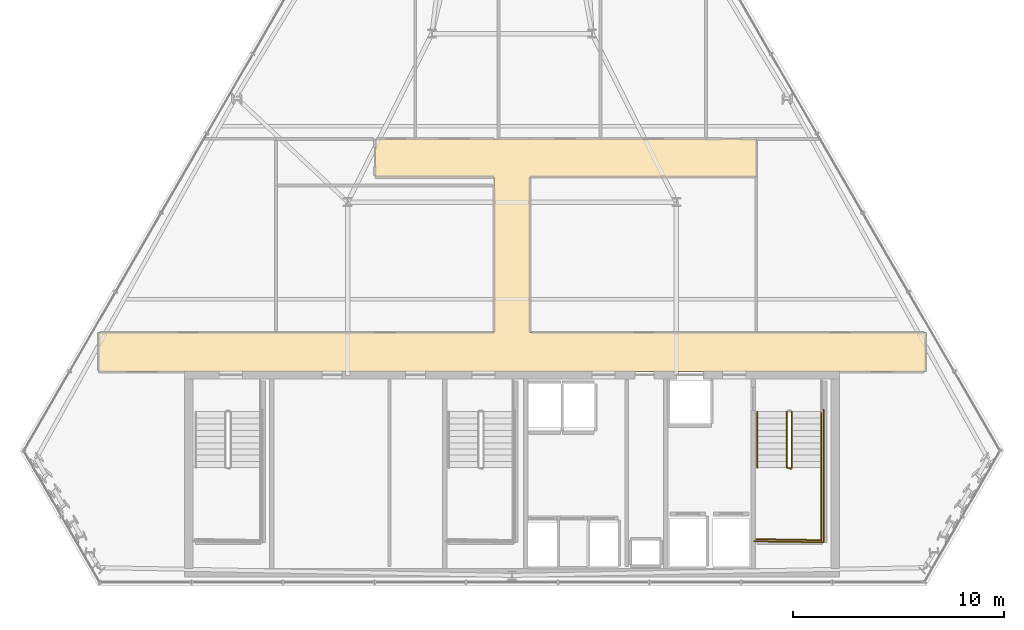
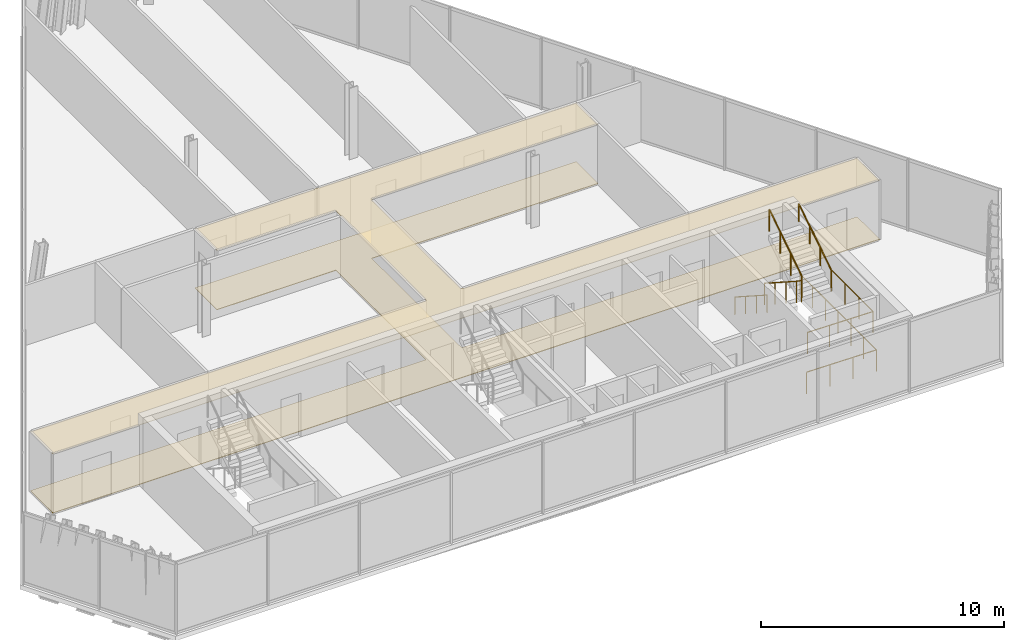
# One storey, part 28 of 29: 6 railings, 2 coverings.
"""IFC4 building model written with IfcOpenShell, lengths in metres."""

from ifc_helpers import new_model, si_unit, direction, frame, origin, origin_2d, place, context, subcontext, project, spatial, polyline, circle, outline, extrude, material, layer, layer_set, type_object, element, save


model = new_model("IFC4")

# Units and contexts
model_context = context("Model", 3, precision=1e-05, world=origin(), true_north=direction((0.0, 1.0)))
body_context = subcontext(model_context, "Body", "Model", "MODEL_VIEW")
ifc_project = project(units=[si_unit("LENGTHUNIT", "METRE"), si_unit("AREAUNIT", "SQUARE_METRE"), si_unit("VOLUMEUNIT", "CUBIC_METRE"), si_unit("PLANEANGLEUNIT", "RADIAN"), si_unit("MASSUNIT", "GRAM", prefix="KILO")], contexts=[model_context])

# Site, building, storey
site_placement = place(None, origin())
site = spatial("IfcSite", under=ifc_project, at=site_placement, CompositionType="ELEMENT")
building_placement = place(site_placement, origin())
building = spatial("IfcBuilding", under=site, at=building_placement, Name="Ndaravel Arena Tower", CompositionType="ELEMENT")
storey_placement = place(building_placement, frame((0.0, 0.0, 237.0)))
storey = spatial("IfcBuildingStorey", under=building, at=storey_placement, Name="L57", CompositionType="ELEMENT", Elevation=237.0)

# Coverings
ifc_material_1 = material(Name="Acoustic Ceiling Tile", Category="finish")
ifc_layer_1 = layer(ifc_material_1, 0.02490234375)
ifc_layer_set_1 = layer_set([ifc_layer_1], Name="Acoustic Ceiling Tile")
covering_type_1 = type_object("IfcCoveringType", Name="COV-CEIL-AC600", PredefinedType="CEILING", material=ifc_layer_set_1)
covering_1_placement = place(storey_placement, frame((0.0, 0.0, 2.98046875)))
element("IfcCovering", 1, at=covering_1_placement, inside=storey, type_object=covering_type_1, Name="L57 Corridor Acoustic Ceiling", PredefinedType="CEILING", context=body_context, shape_type="SweptSolid", body=[
    extrude(outline(polyline([(61.6220703125, 17.0), (42.85009765625, 17.0), (42.85009765625, 24.39990234375), (53.60009765625, 24.39990234375), (53.60009765625, 26.199951171875), (42.85009765625, 26.199951171875), (41.14990234375, 26.199951171875), (35.5, 26.199951171875), (35.5, 24.39990234375), (41.14990234375, 24.39990234375), (41.14990234375, 17.0), (22.3779296875, 17.0), (22.3779296875, 15.14990234375), (61.6220703125, 15.14990234375), (61.6220703125, 17.0)])), origin(), (0.0, 0.0, 1.0), 0.025146484375),
])
ifc_material_2 = material(Name="Terrazzo", Category="stone")
ifc_layer_2 = layer(ifc_material_2, 0.030029296875)
ifc_layer_set_2 = layer_set([ifc_layer_2], Name="Terrazzo")
covering_type_2 = type_object("IfcCoveringType", Name="COV-FLOOR-TERRAZZO", PredefinedType="FLOORING", material=ifc_layer_set_2)
covering_2_placement = place(storey_placement, origin())
element("IfcCovering", 2, at=covering_2_placement, inside=storey, type_object=covering_type_2, Name="L57 Corridor Terrazzo Flooring", PredefinedType="FLOORING", context=body_context, shape_type="SweptSolid", body=[
    extrude(outline(polyline([(61.6220703125, 17.0), (42.85009765625, 17.0), (42.85009765625, 24.39990234375), (53.60009765625, 24.39990234375), (53.60009765625, 26.199951171875), (42.85009765625, 26.199951171875), (41.14990234375, 26.199951171875), (35.5, 26.199951171875), (35.5, 24.39990234375), (41.14990234375, 24.39990234375), (41.14990234375, 17.0), (22.3779296875, 17.0), (22.3779296875, 15.14990234375), (61.6220703125, 15.14990234375), (61.6220703125, 17.0)])), origin(), (0.0, 0.0, 1.0), 0.030029296875),
])

# Railings
ifc_material_3 = material(Name="Steel S355", Category="steel")
ifc_layer_3 = layer(ifc_material_3, 0.06005859375)
ifc_layer_set_3 = layer_set([ifc_layer_3], Name="Steel S355")
railing_type_1 = type_object("IfcRailingType", Name="RAIL-STAIR-GD1100", PredefinedType="GUARDRAIL", material=ifc_layer_set_3)
railing_1_placement = place(storey_placement, frame((55.050048828125, 13.25, 0.18994140625)))
element("IfcRailing", 3, at=railing_1_placement, inside=storey, type_object=railing_type_1, Name="L57 ST-3 stair guard 1", PredefinedType="GUARDRAIL", context=body_context, shape_type="SweptSolid", body=[
    extrude(circle(Radius=0.02392578125, at=origin_2d()), frame((0.0, 0.0, 1.076171875), z_axis=(0.0, -0.840723540582, 0.54146461409), x_axis=(1.0, 0.0, 0.0)), (0.0, 0.0, 1.0), 3.157958984375),
    extrude(circle(Radius=0.02392578125, at=origin_2d()), frame((0.0, -2.655029296875, 2.7861328125), z_axis=(0.966993988697, -0.254799187253, 0.0), x_axis=(0.254799187253, 0.966993988697, 0.0)), (0.0, 0.0, 1.0), 0.196533203125),
    extrude(circle(Radius=0.02099609375, at=origin_2d()), origin(), (0.0, 0.0, 1.0), 1.052001953125),
    extrude(circle(Radius=0.02099609375, at=origin_2d()), frame((0.0, -0.885009765625, 0.570068359375)), (0.0, 0.0, 1.0), 1.052001953125),
    extrude(circle(Radius=0.02099609375, at=origin_2d()), frame((0.0, -1.77001953125, 1.139892578125)), (0.0, 0.0, 1.0), 1.052001953125),
    extrude(circle(Radius=0.02099609375, at=origin_2d()), frame((0.0, -2.655029296875, 1.7099609375)), (0.0, 0.0, 1.0), 1.052001953125),
    extrude(circle(Radius=0.02099609375, at=origin_2d()), frame((0.18994140625, -2.705078125, 1.7099609375)), (0.0, 0.0, 1.0), 1.052001953125),
])
railing_2_placement = place(storey_placement, frame((56.68994140625, 10.594970703125, 1.89990234375)))
element("IfcRailing", 4, at=railing_2_placement, inside=storey, type_object=railing_type_1, Name="L57 ST-3 stair guard 2", PredefinedType="GUARDRAIL", context=body_context, shape_type="SweptSolid", body=[
    extrude(circle(Radius=0.02392578125, at=origin_2d()), frame((0.0, 0.0, 1.076171875), z_axis=(0.0, -1.0, 0.0), x_axis=(1.0, 0.0, 0.0)), (0.0, 0.0, 1.0), 3.445068359375),
    extrude(circle(Radius=0.02392578125, at=origin_2d()), frame((0.0, -3.445068359375, 1.076171875), z_axis=(-0.999868840623, 0.016195726322, 0.0), x_axis=(-0.016195726322, -0.999868840623, 0.0)), (0.0, 0.0, 1.0), 3.09033203125),
    extrude(circle(Radius=0.02099609375, at=origin_2d()), origin(), (0.0, 0.0, 1.0), 1.052001953125),
    extrude(circle(Radius=0.02099609375, at=origin_2d()), frame((0.0, -1.1484375, 0.0)), (0.0, 0.0, 1.0), 1.052001953125),
    extrude(circle(Radius=0.02099609375, at=origin_2d()), frame((0.0, -2.296630859375, 0.0)), (0.0, 0.0, 1.0), 1.052001953125),
    extrude(circle(Radius=0.02099609375, at=origin_2d()), frame((0.0, -3.445068359375, 0.0)), (0.0, 0.0, 1.0), 1.052001953125),
    extrude(circle(Radius=0.02099609375, at=origin_2d()), frame((-1.030029296875, -3.428466796875, 0.0)), (0.0, 0.0, 1.0), 1.052001953125),
    extrude(circle(Radius=0.02099609375, at=origin_2d()), frame((-2.059814453125, -3.41162109375, 0.0)), (0.0, 0.0, 1.0), 1.052001953125),
    extrude(circle(Radius=0.02099609375, at=origin_2d()), frame((-3.08984375, -3.39501953125, 0.0)), (0.0, 0.0, 1.0), 1.052001953125),
])
railing_3_placement = place(storey_placement, frame((55.2900390625, 10.594970703125, 2.090087890625)))
element("IfcRailing", 5, at=railing_3_placement, inside=storey, type_object=railing_type_1, Name="L57 ST-3 stair guard 3", PredefinedType="GUARDRAIL", context=body_context, shape_type="SweptSolid", body=[
    extrude(circle(Radius=0.02392578125, at=origin_2d()), frame((0.0, 0.0, 1.076171875), z_axis=(0.0, 0.840723540582, 0.54146461409), x_axis=(-1.0, 0.0, 0.0)), (0.0, 0.0, 1.0), 3.157958984375),
    extrude(circle(Radius=0.02099609375, at=origin_2d()), origin(), (0.0, 0.0, 1.0), 1.052001953125),
    extrude(circle(Radius=0.02099609375, at=origin_2d()), frame((0.0, 0.885009765625, 0.570068359375)), (0.0, 0.0, 1.0), 1.052001953125),
    extrude(circle(Radius=0.02099609375, at=origin_2d()), frame((0.0, 1.77001953125, 1.139892578125)), (0.0, 0.0, 1.0), 1.052001953125),
    extrude(circle(Radius=0.02099609375, at=origin_2d()), frame((0.0, 2.655029296875, 1.7099609375)), (0.0, 0.0, 1.0), 1.052001953125),
])
railing_4_placement = place(storey_placement, frame((56.7900390625, 13.35009765625, 0.0)))
element("IfcRailing", 6, at=railing_4_placement, inside=storey, type_object=railing_type_1, Name="L57 ST-3 stair guard 6", PredefinedType="GUARDRAIL", context=body_context, shape_type="SweptSolid", body=[
    extrude(circle(Radius=0.02392578125, at=origin_2d()), frame((0.0, 0.0, 1.076171875), z_axis=(0.0, -1.0, 0.0), x_axis=(1.0, 0.0, 0.0)), (0.0, 0.0, 1.0), 6.300048828125),
    extrude(circle(Radius=0.02392578125, at=origin_2d()), frame((0.0, -6.300048828125, 1.076171875), z_axis=(-0.99988431412, 0.015210469308, 0.0), x_axis=(-0.015210469308, -0.99988431412, 0.0)), (0.0, 0.0, 1.0), 3.29052734375),
    extrude(circle(Radius=0.02099609375, at=origin_2d()), origin(), (0.0, 0.0, 1.0), 1.052001953125),
    extrude(circle(Radius=0.02099609375, at=origin_2d()), frame((0.0, -1.050048828125, 0.0)), (0.0, 0.0, 1.0), 1.052001953125),
    extrude(circle(Radius=0.02099609375, at=origin_2d()), frame((0.0, -2.10009765625, 0.0)), (0.0, 0.0, 1.0), 1.052001953125),
    extrude(circle(Radius=0.02099609375, at=origin_2d()), frame((0.0, -3.14990234375, 0.0)), (0.0, 0.0, 1.0), 1.052001953125),
    extrude(circle(Radius=0.02099609375, at=origin_2d()), frame((0.0, -4.199951171875, 0.0)), (0.0, 0.0, 1.0), 1.052001953125),
    extrude(circle(Radius=0.02099609375, at=origin_2d()), frame((0.0, -5.25, 0.0)), (0.0, 0.0, 1.0), 1.052001953125),
    extrude(circle(Radius=0.02099609375, at=origin_2d()), frame((0.0, -6.300048828125, 0.0)), (0.0, 0.0, 1.0), 1.052001953125),
    extrude(circle(Radius=0.02099609375, at=origin_2d()), frame((-1.0966796875, -6.283447265625, 0.0)), (0.0, 0.0, 1.0), 1.052001953125),
    extrude(circle(Radius=0.02099609375, at=origin_2d()), frame((-2.193359375, -6.2666015625, 0.0)), (0.0, 0.0, 1.0), 1.052001953125),
    extrude(circle(Radius=0.02099609375, at=origin_2d()), frame((-3.2900390625, -6.25, 0.0)), (0.0, 0.0, 1.0), 1.052001953125),
])
ifc_material_4 = material(Name="Steel S355", Category="steel")
ifc_layer_4 = layer(ifc_material_4, 0.050048828125)
ifc_layer_set_4 = layer_set([ifc_layer_4], Name="Steel S355")
railing_type_2 = type_object("IfcRailingType", Name="RAIL-STAIR-HR920", PredefinedType="HANDRAIL", material=ifc_layer_set_4)
railing_5_placement = place(storey_placement, frame((53.64990234375, 13.25, 0.18994140625)))
element("IfcRailing", 7, at=railing_5_placement, inside=storey, type_object=railing_type_2, Name="L57 ST-3 stair handrail 1", PredefinedType="HANDRAIL", context=body_context, shape_type="SweptSolid", body=[
    extrude(circle(Radius=0.02392578125, at=origin_2d()), frame((0.0, 0.0, 0.8759765625), z_axis=(0.0, -0.840723540582, 0.54146461409), x_axis=(1.0, 0.0, 0.0)), (0.0, 0.0, 1.0), 3.157958984375),
    extrude(circle(Radius=0.02099609375, at=origin_2d()), origin(), (0.0, 0.0, 1.0), 0.851806640625),
    extrude(circle(Radius=0.02099609375, at=origin_2d()), frame((0.0, -0.885009765625, 0.570068359375)), (0.0, 0.0, 1.0), 0.851806640625),
    extrude(circle(Radius=0.02099609375, at=origin_2d()), frame((0.0, -1.77001953125, 1.139892578125)), (0.0, 0.0, 1.0), 0.851806640625),
    extrude(circle(Radius=0.02099609375, at=origin_2d()), frame((0.0, -2.655029296875, 1.7099609375)), (0.0, 0.0, 1.0), 0.851806640625),
])
railing_6_placement = place(storey_placement, frame((56.68994140625, 10.594970703125, 2.090087890625)))
element("IfcRailing", 8, at=railing_6_placement, inside=storey, type_object=railing_type_2, Name="L57 ST-3 stair handrail 2", PredefinedType="HANDRAIL", context=body_context, shape_type="SweptSolid", body=[
    extrude(circle(Radius=0.02392578125, at=origin_2d()), frame((0.0, 0.0, 0.8759765625), z_axis=(0.0, 0.840723540582, 0.54146461409), x_axis=(-1.0, 0.0, 0.0)), (0.0, 0.0, 1.0), 3.157958984375),
    extrude(circle(Radius=0.02099609375, at=origin_2d()), origin(), (0.0, 0.0, 1.0), 0.851806640625),
    extrude(circle(Radius=0.02099609375, at=origin_2d()), frame((0.0, 0.885009765625, 0.570068359375)), (0.0, 0.0, 1.0), 0.851806640625),
    extrude(circle(Radius=0.02099609375, at=origin_2d()), frame((0.0, 1.77001953125, 1.139892578125)), (0.0, 0.0, 1.0), 0.851806640625),
    extrude(circle(Radius=0.02099609375, at=origin_2d()), frame((0.0, 2.655029296875, 1.7099609375)), (0.0, 0.0, 1.0), 0.851806640625),
])

save(model, "model.ifc")
